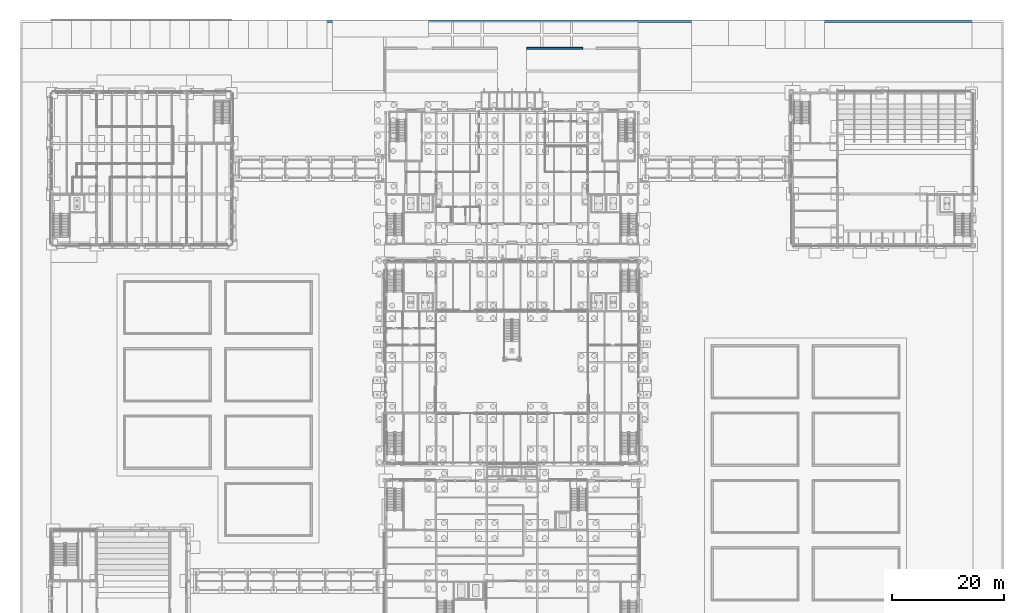
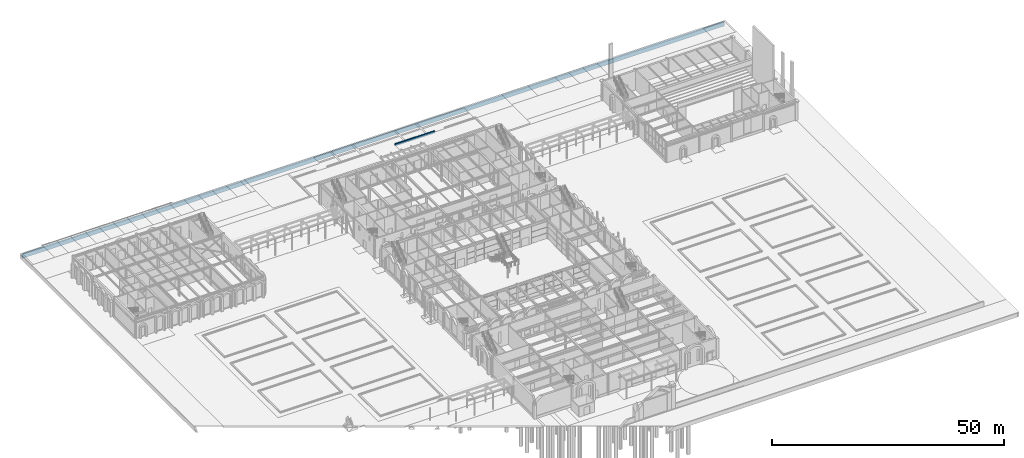
# One storey, part 81 of 126: 2 walls.
"""IFC4 building model written with IfcOpenShell, lengths in metres."""

from ifc_helpers import new_model, si_unit, direction, frame, frame_2d, origin, place, context, subcontext, project, spatial, rectangle, extrude, material, layer, layer_set, type_object, element, save


model = new_model("IFC4")

# Units and contexts
model_context = context("Model", 3, precision=1e-05, world=origin(), true_north=direction((0.0, 1.0)))
body_context = subcontext(model_context, "Body", "Model", "MODEL_VIEW")
ifc_project = project(units=[si_unit("LENGTHUNIT", "METRE"), si_unit("AREAUNIT", "SQUARE_METRE"), si_unit("VOLUMEUNIT", "CUBIC_METRE"), si_unit("PLANEANGLEUNIT", "RADIAN"), si_unit("MASSUNIT", "GRAM", prefix="KILO")], contexts=[model_context])

# Site, building, storey
site_placement = place(None, origin())
site = spatial("IfcSite", under=ifc_project, at=site_placement, CompositionType="ELEMENT")
building_placement = place(site_placement, origin())
building = spatial("IfcBuilding", under=site, at=building_placement, Name="Kallimachos Central Library", CompositionType="ELEMENT")
storey_placement = place(building_placement, origin())
storey = spatial("IfcBuildingStorey", under=building, at=storey_placement, Name="L00", CompositionType="ELEMENT", Elevation=0.0)

# Walls
ifc_material_1 = material(Name="Granite kerb stone", Category="masonry")
ifc_layer_1 = layer(ifc_material_1, 0.300048828125)
ifc_layer_set_1 = layer_set([ifc_layer_1], Name="Granite kerb 300")
wall_type_1 = type_object("IfcWallType", Name="Granite kerb 300", PredefinedType="SOLIDWALL", material=ifc_layer_set_1)
wall_1_placement = place(storey_placement, frame((90.60009765625, 121.949951171875, -0.300048828125), z_axis=(0.0, 0.0, 1.0), x_axis=(1.0, 0.0, 0.0)))
element("IfcWall", 1, at=wall_1_placement, inside=storey, type_object=wall_type_1, Name="Entrance kerb front 3", PredefinedType="SOLIDWALL", context=body_context, shape_type="SweptSolid", body=[
    extrude(rectangle(XDim=10.0, YDim=0.300048828125, at=frame_2d((5.0, 0.0))), origin(), (0.0, 0.0, 1.0), 0.550048828125),
])
ifc_material_2 = material(Name="Concrete C30/37", Category="concrete")
ifc_layer_2 = layer(ifc_material_2, 0.39990234375)
ifc_layer_set_2 = layer_set([ifc_layer_2], Name="Plinth skirt wall 400")
wall_type_2 = type_object("IfcWallType", Name="Plinth skirt wall 400", PredefinedType="SOLIDWALL", material=ifc_layer_set_2)
wall_2_placement = place(storey_placement, frame((175.300048828125, 126.75, -1.199951171875), z_axis=(0.0, 0.0, 1.0), x_axis=(-1.0, 0.0, 0.0)))
element("IfcWall", 2, at=wall_2_placement, inside=storey, type_object=wall_type_2, Name="Plinth skirt North", PredefinedType="SOLIDWALL", context=body_context, shape_type="SweptSolid", body=[
    extrude(rectangle(XDim=174.60009765625, YDim=0.39990234375, at=frame_2d((87.300048828125, 0.0))), origin(), (0.0, 0.0, 1.0), 1.050048828125),
])

save(model, "model.ifc")
